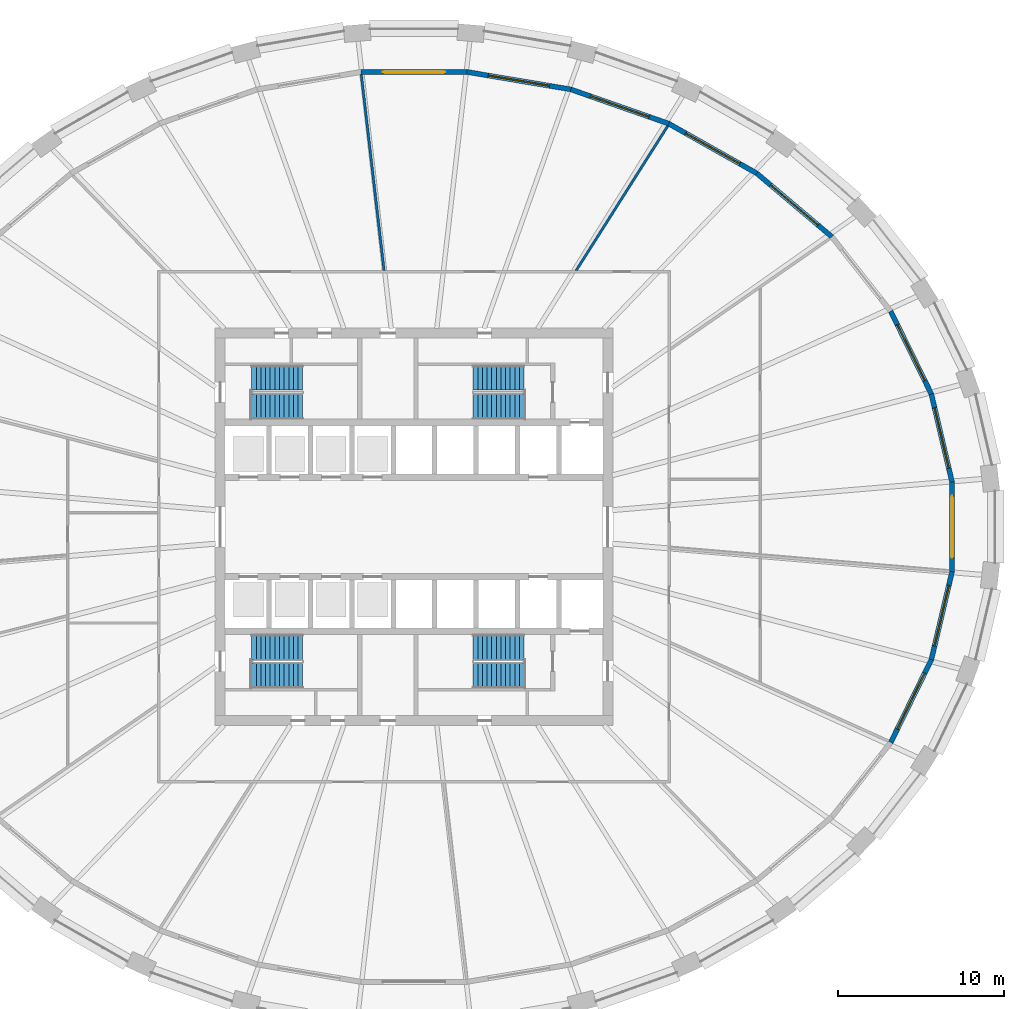
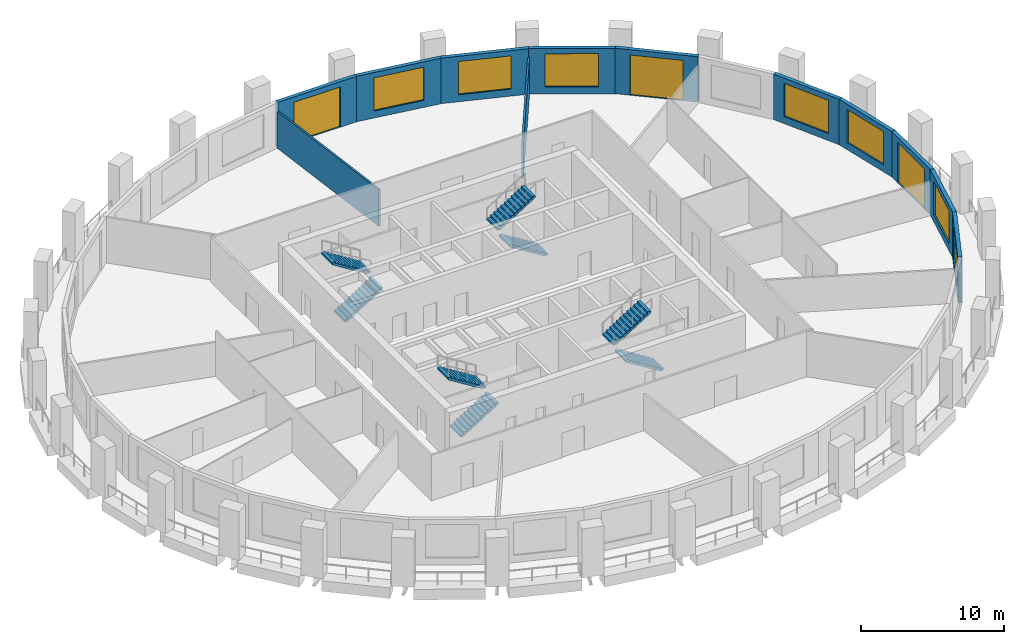
# One storey, part 7 of 10: 12 walls, 8 stair flights, 7 windows, 3 doors, 10 openings, 4 elements without a shape of their own.
"""IFC4 building model written with IfcOpenShell, lengths in metres."""

from ifc_helpers import new_model, si_unit, direction, frame, frame_2d, origin, place, context, subcontext, project, spatial, polyline, rectangle, outline, extrude, material, layer, layer_set, type_object, element, fill, aggregate, save


model = new_model("IFC4")

# Units and contexts
model_context = context("Model", 3, precision=1e-05, world=origin(), true_north=direction((0.0, 1.0)))
body_context = subcontext(model_context, "Body", "Model", "MODEL_VIEW")
ifc_project = project(units=[si_unit("LENGTHUNIT", "METRE"), si_unit("AREAUNIT", "SQUARE_METRE"), si_unit("VOLUMEUNIT", "CUBIC_METRE"), si_unit("PLANEANGLEUNIT", "RADIAN"), si_unit("MASSUNIT", "GRAM", prefix="KILO")], contexts=[model_context])

# Site, building, storey
site_placement = place(None, origin())
site = spatial("IfcSite", under=ifc_project, at=site_placement, CompositionType="ELEMENT")
building_placement = place(site_placement, origin())
building = spatial("IfcBuilding", under=site, at=building_placement, Name="Halqa Exchange Tower", CompositionType="ELEMENT")
storey_placement = place(building_placement, frame((0.0, 0.0, 112.89990234375)))
storey = spatial("IfcBuildingStorey", under=building, at=storey_placement, Name="L25", CompositionType="ELEMENT", Elevation=112.89990234375)

# Walls
ifc_material_1 = material(Name="Fire-rated gypsum board")
ifc_layer_1 = layer(ifc_material_1, 0.14990234375)
ifc_layer_set_1 = layer_set([ifc_layer_1], Name="Fire-rated gypsum board")
wall_type_1 = type_object("IfcWallType", Name="Fire partition EI 60 150", PredefinedType="PARTITIONING", material=ifc_layer_set_1)
wall_1_placement = place(storey_placement, frame((-1.8076171875, 15.466552734375, 0.0), z_axis=(0.0, 0.0, 1.0), x_axis=(-0.115425226741, 0.993316171736, 0.0)))
element("IfcWall", 1, at=wall_1_placement, inside=storey, type_object=wall_type_1, Name="L25-PWL-013", PredefinedType="PARTITIONING", context=body_context, shape_type="SweptSolid", body=[
    extrude(outline(polyline([(0.0, -0.074951171875), (1.98681640625, -0.074951171875), (3.973388671875, -0.074951171875), (5.960205078125, -0.074951171875), (7.947021484375, -0.074951171875), (9.93359375, -0.074951171875), (11.92041015625, -0.074951171875), (11.925048828125, -0.03466796875), (11.925048828125, 0.074951171875), (9.9404296875, 0.074951171875), (7.955810546875, 0.074951171875), (5.97119140625, 0.074951171875), (3.986572265625, 0.074951171875), (2.001953125, 0.074951171875), (0.017333984375, 0.074951171875), (0.0, -0.0732421875), (0.0, -0.074951171875)])), origin(), (0.0, 0.0, 1.0), 3.147216796875),
])
wall_2_placement = place(storey_placement, frame((9.76220703125, 15.43505859375, 0.0), z_axis=(0.0, 0.0, 1.0), x_axis=(0.535189090909, 0.844732287161, 0.0)))
element("IfcWall", 2, at=wall_2_placement, inside=storey, type_object=wall_type_1, Name="L25-PWL-015", PredefinedType="PARTITIONING", context=body_context, shape_type="SweptSolid", body=[
    extrude(outline(polyline([(10.3857421875, -0.074951171875), (10.3857421875, -0.0693359375), (10.382080078125, 0.003662109375), (10.365478515625, 0.074951171875), (8.637939453125, 0.074951171875), (6.910400390625, 0.074951171875), (5.182861328125, 0.074951171875), (3.455078125, 0.074951171875), (1.7275390625, 0.074951171875), (0.0, 0.074951171875), (0.0, 0.07470703125), (0.0947265625, -0.074951171875), (1.809814453125, -0.074951171875), (3.525146484375, -0.074951171875), (5.240234375, -0.074951171875), (6.955322265625, -0.074951171875), (8.670654296875, -0.074951171875), (10.3857421875, -0.074951171875)])), origin(), (0.0, 0.0, 1.0), 3.147216796875),
])

# Wall, opening, window
ifc_material_2 = material(Name="Limestone cladding", Category="masonry")
ifc_layer_2 = layer(ifc_material_2, 0.0400390625)
ifc_material_3 = material(Name="Ventilated cavity")
ifc_layer_3 = layer(ifc_material_3, 0.030029296875, ventilated=True)
ifc_material_4 = material(Name="Mineral wool insulation")
ifc_layer_4 = layer(ifc_material_4, 0.10009765625)
ifc_material_5 = material(Name="Concrete C30/37", Category="concrete")
ifc_layer_5 = layer(ifc_material_5, 0.10009765625)
ifc_material_6 = material(Name="Internal plaster")
ifc_layer_6 = layer(ifc_material_6, 0.030029296875)
ifc_layer_set_2 = layer_set([ifc_layer_2, ifc_layer_3, ifc_layer_4, ifc_layer_5, ifc_layer_6], Name="Stone-faced insulated wall 300")
wall_type_2 = type_object("IfcWallType", Name="Stone-faced insulated wall 300", PredefinedType="STANDARD", material=ifc_layer_set_2)
wall_3_placement = place(storey_placement, frame((32.483154296875, 2.707763671875, 0.0), z_axis=(0.0, 0.0, 1.0), x_axis=(-0.229193964616, 0.973380771632, 0.0)))
wall_3 = element("IfcWall", 3, at=wall_3_placement, inside=storey, type_object=wall_type_2, Name="Glass-line wall 1", PredefinedType="STANDARD", context=body_context, shape_type="SweptSolid", body=[
    extrude(outline(polyline([(-0.017333984375, -0.14990234375), (5.472900390625, -0.14990234375), (5.439208984375, 0.14990234375), (0.017333984375, 0.14990234375), (-0.017333984375, -0.14990234375)])), origin(), (0.0, 0.0, 1.0), 3.900146484375),
])
opening_1_placement = place(wall_3_placement, frame((0.85302734375, 0.0, 0.60009765625)))
opening_1 = element("IfcOpeningElement", 4, at=opening_1_placement, cuts=wall_3, Name="Opening W-F2-01", PredefinedType="OPENING", context=body_context, shape_type="SweptSolid", body=[
    extrude(rectangle(XDim=3.75, YDim=2.85009765625, at=frame_2d((1.875, 1.425048828125))), frame((0.0, 0.162109375, 0.0), z_axis=(0.0, -1.0, 0.0), x_axis=(1.0, 0.0, 0.0)), (0.0, 0.0, 1.0), 0.323974609375),
])
ifc_material_7 = material(Name="Clear low-emissivity glass in aluminium frame", Category="aluminium")
window_type = type_object("IfcWindowType", Name="Fixed clear glazed window 3750 x 2850", PartitioningType="TRIPLE_PANEL_VERTICAL", PredefinedType="WINDOW", material=ifc_material_7)
window_1_placement = place(opening_1_placement, origin())
window_1 = element("IfcWindow", 5, at=window_1_placement, inside=storey, type_object=window_type, Name="Window 2", OverallHeight=2.85009765625, OverallWidth=3.75, PartitioningType="TRIPLE_PANEL_VERTICAL", PredefinedType="WINDOW", context=body_context, shape_type="SweptSolid", body=[
    extrude(rectangle(XDim=3.75, YDim=2.85009765625, at=frame_2d((1.875, 1.425048828125))), frame((0.0, 0.030029296875, 0.0), z_axis=(0.0, -1.0, 0.0), x_axis=(1.0, 0.0, 0.0)), (0.0, 0.0, 1.0), 0.06005859375),
])
fill(opening_1, window_1)

wall_4_placement = place(storey_placement, frame((31.232666015625, 8.0185546875, 0.0), z_axis=(0.0, 0.0, 1.0), x_axis=(-0.440238988749, 0.897880633929, 0.0)))
wall_4 = element("IfcWall", 6, at=wall_4_placement, inside=storey, type_object=wall_type_2, Name="Glass-line wall 2", PredefinedType="STANDARD", context=body_context, shape_type="SweptSolid", body=[
    extrude(outline(polyline([(-0.016845703125, -0.14990234375), (5.585693359375, -0.14990234375), (5.553466796875, 0.14990234375), (0.016845703125, 0.14990234375), (-0.016845703125, -0.14990234375)])), origin(), (0.0, 0.0, 1.0), 3.900146484375),
])
opening_2_placement = place(wall_4_placement, frame((0.90966796875, 0.0, 0.60009765625)))
opening_2 = element("IfcOpeningElement", 7, at=opening_2_placement, cuts=wall_4, Name="Opening W-F2-02", PredefinedType="OPENING", context=body_context, shape_type="SweptSolid", body=[
    extrude(rectangle(XDim=3.75, YDim=2.85009765625, at=frame_2d((1.875, 1.425048828125))), frame((0.0, 0.162109375, 0.0), z_axis=(0.0, -1.0, 0.0), x_axis=(1.0, 0.0, 0.0)), (0.0, 0.0, 1.0), 0.323974609375),
])
window_2_placement = place(opening_2_placement, origin())
window_2 = element("IfcWindow", 8, at=window_2_placement, inside=storey, type_object=window_type, Name="Window 2", OverallHeight=2.85009765625, OverallWidth=3.75, PartitioningType="TRIPLE_PANEL_VERTICAL", PredefinedType="WINDOW", context=body_context, shape_type="SweptSolid", body=[
    extrude(rectangle(XDim=3.75, YDim=2.85009765625, at=frame_2d((1.875, 1.425048828125))), frame((0.0, 0.030029296875, 0.0), z_axis=(0.0, -1.0, 0.0), x_axis=(1.0, 0.0, 0.0)), (0.0, 0.0, 1.0), 0.06005859375),
])
fill(opening_2, window_2)

# Wall, opening, door
wall_5_placement = place(storey_placement, frame((25.222900390625, 17.517822265625, 0.0), z_axis=(0.0, 0.0, 1.0), x_axis=(-0.763894031266, 0.645341699409, 0.0)))
wall_5 = element("IfcWall", 9, at=wall_5_placement, inside=storey, type_object=wall_type_2, Name="Glass-line wall 4", PredefinedType="STANDARD", context=body_context, shape_type="SweptSolid", body=[
    extrude(outline(polyline([(-0.01513671875, -0.14990234375), (5.93896484375, -0.14990234375), (5.91064453125, 0.14990234375), (0.01513671875, 0.14990234375), (-0.01513671875, -0.14990234375)])), origin(), (0.0, 0.0, 1.0), 3.900146484375),
])
opening_3_placement = place(wall_5_placement, frame((1.08740234375, 0.0, 0.0)))
opening_3 = element("IfcOpeningElement", 10, at=opening_3_placement, cuts=wall_5, Name="Opening LG-F2-01", PredefinedType="OPENING", context=body_context, shape_type="SweptSolid", body=[
    extrude(rectangle(XDim=3.75, YDim=3.449951171875, at=frame_2d((1.875, 1.72509765625))), frame((0.0, 0.162109375, 0.0), z_axis=(0.0, -1.0, 0.0), x_axis=(1.0, 0.0, 0.0)), (0.0, 0.0, 1.0), 0.323974609375),
])
door_type = type_object("IfcDoorType", Name="Glazed sliding loggia door 3750 x 3450", OperationType="DOUBLE_DOOR_SLIDING", PredefinedType="DOOR", material=ifc_material_7)
door_1_placement = place(opening_3_placement, origin())
door_1 = element("IfcDoor", 11, at=door_1_placement, inside=storey, type_object=door_type, Name="Loggia door 1", OperationType="DOUBLE_DOOR_SLIDING", OverallHeight=3.449951171875, OverallWidth=3.75, PredefinedType="DOOR", context=body_context, shape_type="SweptSolid", body=[
    extrude(rectangle(XDim=3.75, YDim=3.449951171875, at=frame_2d((1.875, 1.72509765625))), frame((0.0, 0.02490234375, 0.0), z_axis=(0.0, -1.0, 0.0), x_axis=(1.0, 0.0, 0.0)), (0.0, 0.0, 1.0), 0.050048828125),
])
fill(opening_3, door_1)

# Wall, opening, window
wall_6_placement = place(storey_placement, frame((20.697021484375, 21.34130859375, 0.0), z_axis=(0.0, 0.0, 1.0), x_axis=(-0.870828448417, 0.491587035455, 0.0)))
wall_6 = element("IfcWall", 12, at=wall_6_placement, inside=storey, type_object=wall_type_2, Name="Glass-line wall 5", PredefinedType="STANDARD", context=body_context, shape_type="SweptSolid", body=[
    extrude(outline(polyline([(-0.01416015625, -0.14990234375), (6.1220703125, -0.14990234375), (6.09521484375, 0.14990234375), (0.01416015625, 0.14990234375), (-0.01416015625, -0.14990234375)])), origin(), (0.0, 0.0, 1.0), 3.900146484375),
])
opening_4_placement = place(wall_6_placement, frame((1.17919921875, 0.0, 0.60009765625)))
opening_4 = element("IfcOpeningElement", 13, at=opening_4_placement, cuts=wall_6, Name="Opening W-F2-05", PredefinedType="OPENING", context=body_context, shape_type="SweptSolid", body=[
    extrude(rectangle(XDim=3.75, YDim=2.85009765625, at=frame_2d((1.875, 1.425048828125))), frame((0.0, 0.162109375, 0.0), z_axis=(0.0, -1.0, 0.0), x_axis=(1.0, 0.0, 0.0)), (0.0, 0.0, 1.0), 0.323974609375),
])
window_3_placement = place(opening_4_placement, origin())
window_3 = element("IfcWindow", 14, at=window_3_placement, inside=storey, type_object=window_type, Name="Window 2", OverallHeight=2.85009765625, OverallWidth=3.75, PartitioningType="TRIPLE_PANEL_VERTICAL", PredefinedType="WINDOW", context=body_context, shape_type="SweptSolid", body=[
    extrude(rectangle(XDim=3.75, YDim=2.85009765625, at=frame_2d((1.875, 1.425048828125))), frame((0.0, 0.030029296875, 0.0), z_axis=(0.0, -1.0, 0.0), x_axis=(1.0, 0.0, 0.0)), (0.0, 0.0, 1.0), 0.06005859375),
])
fill(opening_4, window_3)

wall_7_placement = place(storey_placement, frame((15.37744140625, 24.34423828125, 0.0), z_axis=(0.0, 0.0, 1.0), x_axis=(-0.943866868202, 0.330326104193, 0.0)))
wall_7 = element("IfcWall", 15, at=wall_7_placement, inside=storey, type_object=wall_type_2, Name="Glass-line wall 6", PredefinedType="STANDARD", context=body_context, shape_type="SweptSolid", body=[
    extrude(outline(polyline([(-0.013427734375, -0.14990234375), (6.272705078125, -0.14990234375), (6.247314453125, 0.14990234375), (0.013427734375, 0.14990234375), (-0.013427734375, -0.14990234375)])), origin(), (0.0, 0.0, 1.0), 3.900146484375),
])
opening_5_placement = place(wall_7_placement, frame((1.255126953125, 0.0, 0.60009765625)))
opening_5 = element("IfcOpeningElement", 16, at=opening_5_placement, cuts=wall_7, Name="Opening W-F2-06", PredefinedType="OPENING", context=body_context, shape_type="SweptSolid", body=[
    extrude(rectangle(XDim=3.75, YDim=2.85009765625, at=frame_2d((1.875, 1.425048828125))), frame((0.0, 0.162109375, 0.0), z_axis=(0.0, -1.0, 0.0), x_axis=(1.0, 0.0, 0.0)), (0.0, 0.0, 1.0), 0.323974609375),
])
window_4_placement = place(opening_5_placement, origin())
window_4 = element("IfcWindow", 17, at=window_4_placement, inside=storey, type_object=window_type, Name="Window 2", OverallHeight=2.85009765625, OverallWidth=3.75, PartitioningType="TRIPLE_PANEL_VERTICAL", PredefinedType="WINDOW", context=body_context, shape_type="SweptSolid", body=[
    extrude(rectangle(XDim=3.75, YDim=2.85009765625, at=frame_2d((1.875, 1.425048828125))), frame((0.0, 0.030029296875, 0.0), z_axis=(0.0, -1.0, 0.0), x_axis=(1.0, 0.0, 0.0)), (0.0, 0.0, 1.0), 0.06005859375),
])
fill(opening_5, window_4)

wall_8_placement = place(storey_placement, frame((9.46875, 26.412109375, 0.0), z_axis=(0.0, 0.0, 1.0), x_axis=(-0.986178310488, 0.165687476666, 0.0)))
wall_8 = element("IfcWall", 18, at=wall_8_placement, inside=storey, type_object=wall_type_2, Name="Glass-line wall 7", PredefinedType="STANDARD", context=body_context, shape_type="SweptSolid", body=[
    extrude(outline(polyline([(-0.0126953125, -0.14990234375), (6.3720703125, -0.14990234375), (6.34716796875, 0.14990234375), (0.0126953125, 0.14990234375), (-0.0126953125, -0.14990234375)])), origin(), (0.0, 0.0, 1.0), 3.900146484375),
])
opening_6_placement = place(wall_8_placement, frame((1.3046875, 0.0, 0.60009765625)))
opening_6 = element("IfcOpeningElement", 19, at=opening_6_placement, cuts=wall_8, Name="Opening W-F2-07", PredefinedType="OPENING", context=body_context, shape_type="SweptSolid", body=[
    extrude(rectangle(XDim=3.75, YDim=2.85009765625, at=frame_2d((1.875, 1.425048828125))), frame((0.0, 0.162109375, 0.0), z_axis=(0.0, -1.0, 0.0), x_axis=(1.0, 0.0, 0.0)), (0.0, 0.0, 1.0), 0.323974609375),
])
window_5_placement = place(opening_6_placement, origin())
window_5 = element("IfcWindow", 20, at=window_5_placement, inside=storey, type_object=window_type, Name="Window 2", OverallHeight=2.85009765625, OverallWidth=3.75, PartitioningType="TRIPLE_PANEL_VERTICAL", PredefinedType="WINDOW", context=body_context, shape_type="SweptSolid", body=[
    extrude(rectangle(XDim=3.75, YDim=2.85009765625, at=frame_2d((1.875, 1.425048828125))), frame((0.0, 0.030029296875, 0.0), z_axis=(0.0, -1.0, 0.0), x_axis=(1.0, 0.0, 0.0)), (0.0, 0.0, 1.0), 0.06005859375),
])
fill(opening_6, window_5)

# Wall, opening, door
wall_9_placement = place(storey_placement, frame((3.197021484375, 27.4658203125, 0.0), z_axis=(0.0, 0.0, 1.0), x_axis=(-1.0, 0.0, 0.0)))
wall_9 = element("IfcWall", 21, at=wall_9_placement, inside=storey, type_object=wall_type_2, Name="Glass-line wall 8", PredefinedType="STANDARD", context=body_context, shape_type="SweptSolid", body=[
    extrude(outline(polyline([(-0.012451171875, -0.14990234375), (6.406494140625, -0.14990234375), (6.381591796875, 0.14990234375), (0.012451171875, 0.14990234375), (-0.012451171875, -0.14990234375)])), origin(), (0.0, 0.0, 1.0), 3.900146484375),
])
opening_7_placement = place(wall_9_placement, frame((1.322021484375, 0.0, 0.0)))
opening_7 = element("IfcOpeningElement", 22, at=opening_7_placement, cuts=wall_9, Name="Opening LG-F2-02", PredefinedType="OPENING", context=body_context, shape_type="SweptSolid", body=[
    extrude(rectangle(XDim=3.75, YDim=3.449951171875, at=frame_2d((1.875, 1.72509765625))), frame((0.0, 0.162109375, 0.0), z_axis=(0.0, -1.0, 0.0), x_axis=(1.0, 0.0, 0.0)), (0.0, 0.0, 1.0), 0.323974609375),
])
door_2_placement = place(opening_7_placement, origin())
door_2 = element("IfcDoor", 23, at=door_2_placement, inside=storey, type_object=door_type, Name="Loggia door 2", OperationType="DOUBLE_DOOR_SLIDING", OverallHeight=3.449951171875, OverallWidth=3.75, PredefinedType="DOOR", context=body_context, shape_type="SweptSolid", body=[
    extrude(rectangle(XDim=3.75, YDim=3.449951171875, at=frame_2d((1.875, 1.72509765625))), frame((0.0, 0.02490234375, 0.0), z_axis=(0.0, -1.0, 0.0), x_axis=(1.0, 0.0, 0.0)), (0.0, 0.0, 1.0), 0.050048828125),
])
fill(opening_7, door_2)

# Wall, opening, window
wall_10_placement = place(storey_placement, frame((28.78076171875, -13.019287109375, 0.0), z_axis=(0.0, 0.0, 1.0), x_axis=(0.440238988749, 0.897880633929, 0.0)))
wall_10 = element("IfcWall", 24, at=wall_10_placement, inside=storey, type_object=wall_type_2, Name="Glass-line wall 30", PredefinedType="STANDARD", context=body_context, shape_type="SweptSolid", body=[
    extrude(outline(polyline([(-0.01611328125, -0.14990234375), (5.58642578125, -0.14990234375), (5.552734375, 0.14990234375), (0.01611328125, 0.14990234375), (-0.01611328125, -0.14990234375)])), origin(), (0.0, 0.0, 1.0), 3.900146484375),
])
opening_8_placement = place(wall_10_placement, frame((0.90966796875, 0.0, 0.60009765625)))
opening_8 = element("IfcOpeningElement", 25, at=opening_8_placement, cuts=wall_10, Name="Opening W-F2-30", PredefinedType="OPENING", context=body_context, shape_type="SweptSolid", body=[
    extrude(rectangle(XDim=3.75, YDim=2.85009765625, at=frame_2d((1.875, 1.425048828125))), frame((0.0, 0.162109375, 0.0), z_axis=(0.0, -1.0, 0.0), x_axis=(1.0, 0.0, 0.0)), (0.0, 0.0, 1.0), 0.323974609375),
])
window_6_placement = place(opening_8_placement, origin())
window_6 = element("IfcWindow", 26, at=window_6_placement, inside=storey, type_object=window_type, Name="Window 2", OverallHeight=2.85009765625, OverallWidth=3.75, PartitioningType="TRIPLE_PANEL_VERTICAL", PredefinedType="WINDOW", context=body_context, shape_type="SweptSolid", body=[
    extrude(rectangle(XDim=3.75, YDim=2.85009765625, at=frame_2d((1.875, 1.425048828125))), frame((0.0, 0.030029296875, 0.0), z_axis=(0.0, -1.0, 0.0), x_axis=(1.0, 0.0, 0.0)), (0.0, 0.0, 1.0), 0.06005859375),
])
fill(opening_8, window_6)

wall_11_placement = place(storey_placement, frame((31.232666015625, -8.0185546875, 0.0), z_axis=(0.0, 0.0, 1.0), x_axis=(0.229193964616, 0.973380771632, 0.0)))
wall_11 = element("IfcWall", 27, at=wall_11_placement, inside=storey, type_object=wall_type_2, Name="Glass-line wall 31", PredefinedType="STANDARD", context=body_context, shape_type="SweptSolid", body=[
    extrude(outline(polyline([(-0.016845703125, -0.14990234375), (5.473388671875, -0.14990234375), (5.438720703125, 0.14990234375), (0.016845703125, 0.14990234375), (-0.016845703125, -0.14990234375)])), origin(), (0.0, 0.0, 1.0), 3.900146484375),
])
opening_9_placement = place(wall_11_placement, frame((0.85302734375, 0.0, 0.60009765625)))
opening_9 = element("IfcOpeningElement", 28, at=opening_9_placement, cuts=wall_11, Name="Opening W-F2-31", PredefinedType="OPENING", context=body_context, shape_type="SweptSolid", body=[
    extrude(rectangle(XDim=3.75, YDim=2.85009765625, at=frame_2d((1.875, 1.425048828125))), frame((0.0, 0.162109375, 0.0), z_axis=(0.0, -1.0, 0.0), x_axis=(1.0, 0.0, 0.0)), (0.0, 0.0, 1.0), 0.323974609375),
])
window_7_placement = place(opening_9_placement, origin())
window_7 = element("IfcWindow", 29, at=window_7_placement, inside=storey, type_object=window_type, Name="Window 2", OverallHeight=2.85009765625, OverallWidth=3.75, PartitioningType="TRIPLE_PANEL_VERTICAL", PredefinedType="WINDOW", context=body_context, shape_type="SweptSolid", body=[
    extrude(rectangle(XDim=3.75, YDim=2.85009765625, at=frame_2d((1.875, 1.425048828125))), frame((0.0, 0.030029296875, 0.0), z_axis=(0.0, -1.0, 0.0), x_axis=(1.0, 0.0, 0.0)), (0.0, 0.0, 1.0), 0.06005859375),
])
fill(opening_9, window_7)

# Wall, opening, door
wall_12_placement = place(storey_placement, frame((32.483154296875, -2.707763671875, 0.0), z_axis=(0.0, 0.0, 1.0), x_axis=(0.0, 1.0, 0.0)))
wall_12 = element("IfcWall", 30, at=wall_12_placement, inside=storey, type_object=wall_type_2, Name="Glass-line wall 32", PredefinedType="STANDARD", context=body_context, shape_type="SweptSolid", body=[
    extrude(outline(polyline([(-0.017333984375, -0.14990234375), (5.432861328125, -0.14990234375), (5.398193359375, 0.14990234375), (0.017333984375, 0.14990234375), (-0.017333984375, -0.14990234375)])), origin(), (0.0, 0.0, 1.0), 3.900146484375),
])
opening_10_placement = place(wall_12_placement, frame((0.832763671875, 0.0, 0.0)))
opening_10 = element("IfcOpeningElement", 31, at=opening_10_placement, cuts=wall_12, Name="Opening LG-F2-08", PredefinedType="OPENING", context=body_context, shape_type="SweptSolid", body=[
    extrude(rectangle(XDim=3.75, YDim=3.449951171875, at=frame_2d((1.875, 1.72509765625))), frame((0.0, 0.162109375, 0.0), z_axis=(0.0, -1.0, 0.0), x_axis=(1.0, 0.0, 0.0)), (0.0, 0.0, 1.0), 0.323974609375),
])
door_3_placement = place(opening_10_placement, origin())
door_3 = element("IfcDoor", 32, at=door_3_placement, inside=storey, type_object=door_type, Name="Loggia door 8", OperationType="DOUBLE_DOOR_SLIDING", OverallHeight=3.449951171875, OverallWidth=3.75, PredefinedType="DOOR", context=body_context, shape_type="SweptSolid", body=[
    extrude(rectangle(XDim=3.75, YDim=3.449951171875, at=frame_2d((1.875, 1.72509765625))), frame((0.0, 0.02490234375, 0.0), z_axis=(0.0, -1.0, 0.0), x_axis=(1.0, 0.0, 0.0)), (0.0, 0.0, 1.0), 0.050048828125),
])
fill(opening_10, door_3)

# Stair, stair flights
stair_type = type_object("IfcStairType", Name="Exit stair 1500 wide", PredefinedType="HALF_TURN_STAIR", material=ifc_material_5)
stair_1_placement = place(storey_placement, origin())
stair_1 = element("IfcStair", 33, at=stair_1_placement, inside=storey, type_object=stair_type, Name="Exit stair ST1", PredefinedType="HALF_TURN_STAIR")
stair_flight_type = type_object("IfcStairFlightType", Name="Stair flight 1500 wide", PredefinedType="STRAIGHT", material=ifc_material_5)
stair_flight_1_placement = place(storey_placement, frame((-9.800048828125, 7.25, 0.0), z_axis=(0.0, 0.0, 1.0), x_axis=(1.0, 0.0, 0.0)))
stair_flight_1 = element("IfcStairFlight", 34, at=stair_flight_1_placement, type_object=stair_flight_type, Name="ST1 flight 1", NumberOfRisers=12, NumberOfTreads=11, PredefinedType="STRAIGHT", RiserHeight=0.175, TreadLength=0.28, context=body_context, shape_type="SweptSolid", body=[
    extrude(outline(polyline([(0.0, 0.0), (0.0, 0.175048828125), (0.280029296875, 0.175048828125), (0.280029296875, 0.35009765625), (0.56005859375, 0.35009765625), (0.56005859375, 0.52490234375), (0.840087890625, 0.52490234375), (0.840087890625, 0.699951171875), (1.1201171875, 0.699951171875), (1.1201171875, 0.875), (1.39990234375, 0.875), (1.39990234375, 1.050048828125), (1.679931640625, 1.050048828125), (1.679931640625, 1.22509765625), (1.9599609375, 1.22509765625), (1.9599609375, 1.39990234375), (2.239990234375, 1.39990234375), (2.239990234375, 1.574951171875), (2.52001953125, 1.574951171875), (2.52001953125, 1.75), (2.800048828125, 1.75), (2.800048828125, 1.925048828125), (3.080078125, 1.925048828125), (3.080078125, 2.10009765625), (3.080078125, 1.748291015625), (0.28271484375, 0.0), (0.0, 0.0)])), frame((0.0, 0.75, 0.0), z_axis=(0.0, -1.0, 0.0), x_axis=(1.0, 0.0, 0.0)), (0.0, 0.0, 1.0), 1.5),
])
stair_flight_2_placement = place(storey_placement, frame((-6.719970703125, 9.0, 2.10009765625), z_axis=(0.0, 0.0, 1.0), x_axis=(-1.0, 0.0, 0.0)))
stair_flight_2 = element("IfcStairFlight", 35, at=stair_flight_2_placement, type_object=stair_flight_type, Name="ST1 flight 2", NumberOfRisers=12, NumberOfTreads=11, PredefinedType="STRAIGHT", RiserHeight=0.175, TreadLength=0.28, context=body_context, shape_type="SweptSolid", body=[
    extrude(outline(polyline([(0.0, 0.0), (0.0, 0.175048828125), (0.280029296875, 0.175048828125), (0.280029296875, 0.35009765625), (0.56005859375, 0.35009765625), (0.56005859375, 0.52490234375), (0.840087890625, 0.52490234375), (0.840087890625, 0.699951171875), (1.1201171875, 0.699951171875), (1.1201171875, 0.875), (1.39990234375, 0.875), (1.39990234375, 1.050048828125), (1.679931640625, 1.050048828125), (1.679931640625, 1.22509765625), (1.9599609375, 1.22509765625), (1.9599609375, 1.39990234375), (2.239990234375, 1.39990234375), (2.239990234375, 1.574951171875), (2.52001953125, 1.574951171875), (2.52001953125, 1.75), (2.800048828125, 1.75), (2.800048828125, 1.925048828125), (3.080078125, 1.925048828125), (3.080078125, 2.10009765625), (3.080078125, 1.748291015625), (0.28271484375, 0.0), (0.0, 0.0)])), frame((0.0, 0.75, 0.0), z_axis=(0.0, -1.0, 0.0), x_axis=(1.0, 0.0, 0.0)), (0.0, 0.0, 1.0), 1.5),
])
aggregate(stair_1, [stair_flight_1, stair_flight_2])

stair_2_placement = place(storey_placement, origin())
stair_2 = element("IfcStair", 36, at=stair_2_placement, inside=storey, type_object=stair_type, Name="Exit stair ST2", PredefinedType="HALF_TURN_STAIR")
stair_flight_3_placement = place(storey_placement, frame((6.64990234375, 7.25, 0.0), z_axis=(0.0, 0.0, 1.0), x_axis=(-1.0, 0.0, 0.0)))
stair_flight_3 = element("IfcStairFlight", 37, at=stair_flight_3_placement, type_object=stair_flight_type, Name="ST2 flight 1", NumberOfRisers=12, NumberOfTreads=11, PredefinedType="STRAIGHT", RiserHeight=0.175, TreadLength=0.28, context=body_context, shape_type="SweptSolid", body=[
    extrude(outline(polyline([(0.0, 0.0), (0.0, 0.175048828125), (0.280029296875, 0.175048828125), (0.280029296875, 0.35009765625), (0.56005859375, 0.35009765625), (0.56005859375, 0.52490234375), (0.840087890625, 0.52490234375), (0.840087890625, 0.699951171875), (1.1201171875, 0.699951171875), (1.1201171875, 0.875), (1.39990234375, 0.875), (1.39990234375, 1.050048828125), (1.679931640625, 1.050048828125), (1.679931640625, 1.22509765625), (1.9599609375, 1.22509765625), (1.9599609375, 1.39990234375), (2.239990234375, 1.39990234375), (2.239990234375, 1.574951171875), (2.52001953125, 1.574951171875), (2.52001953125, 1.75), (2.800048828125, 1.75), (2.800048828125, 1.925048828125), (3.080078125, 1.925048828125), (3.080078125, 2.10009765625), (3.080078125, 1.748291015625), (0.28271484375, 0.0), (0.0, 0.0)])), frame((0.0, 0.75, 0.0), z_axis=(0.0, -1.0, 0.0), x_axis=(1.0, 0.0, 0.0)), (0.0, 0.0, 1.0), 1.5),
])
stair_flight_4_placement = place(storey_placement, frame((3.570068359375, 9.0, 2.10009765625), z_axis=(0.0, 0.0, 1.0), x_axis=(1.0, 0.0, 0.0)))
stair_flight_4 = element("IfcStairFlight", 38, at=stair_flight_4_placement, type_object=stair_flight_type, Name="ST2 flight 2", NumberOfRisers=12, NumberOfTreads=11, PredefinedType="STRAIGHT", RiserHeight=0.175, TreadLength=0.28, context=body_context, shape_type="SweptSolid", body=[
    extrude(outline(polyline([(0.0, 0.0), (0.0, 0.175048828125), (0.280029296875, 0.175048828125), (0.280029296875, 0.35009765625), (0.56005859375, 0.35009765625), (0.56005859375, 0.52490234375), (0.840087890625, 0.52490234375), (0.840087890625, 0.699951171875), (1.1201171875, 0.699951171875), (1.1201171875, 0.875), (1.39990234375, 0.875), (1.39990234375, 1.050048828125), (1.679931640625, 1.050048828125), (1.679931640625, 1.22509765625), (1.9599609375, 1.22509765625), (1.9599609375, 1.39990234375), (2.239990234375, 1.39990234375), (2.239990234375, 1.574951171875), (2.52001953125, 1.574951171875), (2.52001953125, 1.75), (2.800048828125, 1.75), (2.800048828125, 1.925048828125), (3.080078125, 1.925048828125), (3.080078125, 2.10009765625), (3.080078125, 1.748291015625), (0.28271484375, 0.0), (0.0, 0.0)])), frame((0.0, 0.75, 0.0), z_axis=(0.0, -1.0, 0.0), x_axis=(1.0, 0.0, 0.0)), (0.0, 0.0, 1.0), 1.5),
])
aggregate(stair_2, [stair_flight_3, stair_flight_4])

stair_3_placement = place(storey_placement, origin())
stair_3 = element("IfcStair", 39, at=stair_3_placement, inside=storey, type_object=stair_type, Name="Exit stair ST3", PredefinedType="HALF_TURN_STAIR")
stair_flight_5_placement = place(storey_placement, frame((-9.800048828125, -9.0, 0.0), z_axis=(0.0, 0.0, 1.0), x_axis=(1.0, 0.0, 0.0)))
stair_flight_5 = element("IfcStairFlight", 40, at=stair_flight_5_placement, type_object=stair_flight_type, Name="ST3 flight 1", NumberOfRisers=12, NumberOfTreads=11, PredefinedType="STRAIGHT", RiserHeight=0.175, TreadLength=0.28, context=body_context, shape_type="SweptSolid", body=[
    extrude(outline(polyline([(0.0, 0.0), (0.0, 0.175048828125), (0.280029296875, 0.175048828125), (0.280029296875, 0.35009765625), (0.56005859375, 0.35009765625), (0.56005859375, 0.52490234375), (0.840087890625, 0.52490234375), (0.840087890625, 0.699951171875), (1.1201171875, 0.699951171875), (1.1201171875, 0.875), (1.39990234375, 0.875), (1.39990234375, 1.050048828125), (1.679931640625, 1.050048828125), (1.679931640625, 1.22509765625), (1.9599609375, 1.22509765625), (1.9599609375, 1.39990234375), (2.239990234375, 1.39990234375), (2.239990234375, 1.574951171875), (2.52001953125, 1.574951171875), (2.52001953125, 1.75), (2.800048828125, 1.75), (2.800048828125, 1.925048828125), (3.080078125, 1.925048828125), (3.080078125, 2.10009765625), (3.080078125, 1.748291015625), (0.28271484375, 0.0), (0.0, 0.0)])), frame((0.0, 0.75, 0.0), z_axis=(0.0, -1.0, 0.0), x_axis=(1.0, 0.0, 0.0)), (0.0, 0.0, 1.0), 1.5),
])
stair_flight_6_placement = place(storey_placement, frame((-6.719970703125, -7.25, 2.10009765625), z_axis=(0.0, 0.0, 1.0), x_axis=(-1.0, 0.0, 0.0)))
stair_flight_6 = element("IfcStairFlight", 41, at=stair_flight_6_placement, type_object=stair_flight_type, Name="ST3 flight 2", NumberOfRisers=12, NumberOfTreads=11, PredefinedType="STRAIGHT", RiserHeight=0.175, TreadLength=0.28, context=body_context, shape_type="SweptSolid", body=[
    extrude(outline(polyline([(0.0, 0.0), (0.0, 0.175048828125), (0.280029296875, 0.175048828125), (0.280029296875, 0.35009765625), (0.56005859375, 0.35009765625), (0.56005859375, 0.52490234375), (0.840087890625, 0.52490234375), (0.840087890625, 0.699951171875), (1.1201171875, 0.699951171875), (1.1201171875, 0.875), (1.39990234375, 0.875), (1.39990234375, 1.050048828125), (1.679931640625, 1.050048828125), (1.679931640625, 1.22509765625), (1.9599609375, 1.22509765625), (1.9599609375, 1.39990234375), (2.239990234375, 1.39990234375), (2.239990234375, 1.574951171875), (2.52001953125, 1.574951171875), (2.52001953125, 1.75), (2.800048828125, 1.75), (2.800048828125, 1.925048828125), (3.080078125, 1.925048828125), (3.080078125, 2.10009765625), (3.080078125, 1.748291015625), (0.28271484375, 0.0), (0.0, 0.0)])), frame((0.0, 0.75, 0.0), z_axis=(0.0, -1.0, 0.0), x_axis=(1.0, 0.0, 0.0)), (0.0, 0.0, 1.0), 1.5),
])
aggregate(stair_3, [stair_flight_5, stair_flight_6])

stair_4_placement = place(storey_placement, origin())
stair_4 = element("IfcStair", 42, at=stair_4_placement, inside=storey, type_object=stair_type, Name="Exit stair ST4", PredefinedType="HALF_TURN_STAIR")
stair_flight_7_placement = place(storey_placement, frame((6.64990234375, -9.0, 0.0), z_axis=(0.0, 0.0, 1.0), x_axis=(-1.0, 0.0, 0.0)))
stair_flight_7 = element("IfcStairFlight", 43, at=stair_flight_7_placement, type_object=stair_flight_type, Name="ST4 flight 1", NumberOfRisers=12, NumberOfTreads=11, PredefinedType="STRAIGHT", RiserHeight=0.175, TreadLength=0.28, context=body_context, shape_type="SweptSolid", body=[
    extrude(outline(polyline([(0.0, 0.0), (0.0, 0.175048828125), (0.280029296875, 0.175048828125), (0.280029296875, 0.35009765625), (0.56005859375, 0.35009765625), (0.56005859375, 0.52490234375), (0.840087890625, 0.52490234375), (0.840087890625, 0.699951171875), (1.1201171875, 0.699951171875), (1.1201171875, 0.875), (1.39990234375, 0.875), (1.39990234375, 1.050048828125), (1.679931640625, 1.050048828125), (1.679931640625, 1.22509765625), (1.9599609375, 1.22509765625), (1.9599609375, 1.39990234375), (2.239990234375, 1.39990234375), (2.239990234375, 1.574951171875), (2.52001953125, 1.574951171875), (2.52001953125, 1.75), (2.800048828125, 1.75), (2.800048828125, 1.925048828125), (3.080078125, 1.925048828125), (3.080078125, 2.10009765625), (3.080078125, 1.748291015625), (0.28271484375, 0.0), (0.0, 0.0)])), frame((0.0, 0.75, 0.0), z_axis=(0.0, -1.0, 0.0), x_axis=(1.0, 0.0, 0.0)), (0.0, 0.0, 1.0), 1.5),
])
stair_flight_8_placement = place(storey_placement, frame((3.570068359375, -7.25, 2.10009765625), z_axis=(0.0, 0.0, 1.0), x_axis=(1.0, 0.0, 0.0)))
stair_flight_8 = element("IfcStairFlight", 44, at=stair_flight_8_placement, type_object=stair_flight_type, Name="ST4 flight 2", NumberOfRisers=12, NumberOfTreads=11, PredefinedType="STRAIGHT", RiserHeight=0.175, TreadLength=0.28, context=body_context, shape_type="SweptSolid", body=[
    extrude(outline(polyline([(0.0, 0.0), (0.0, 0.175048828125), (0.280029296875, 0.175048828125), (0.280029296875, 0.35009765625), (0.56005859375, 0.35009765625), (0.56005859375, 0.52490234375), (0.840087890625, 0.52490234375), (0.840087890625, 0.699951171875), (1.1201171875, 0.699951171875), (1.1201171875, 0.875), (1.39990234375, 0.875), (1.39990234375, 1.050048828125), (1.679931640625, 1.050048828125), (1.679931640625, 1.22509765625), (1.9599609375, 1.22509765625), (1.9599609375, 1.39990234375), (2.239990234375, 1.39990234375), (2.239990234375, 1.574951171875), (2.52001953125, 1.574951171875), (2.52001953125, 1.75), (2.800048828125, 1.75), (2.800048828125, 1.925048828125), (3.080078125, 1.925048828125), (3.080078125, 2.10009765625), (3.080078125, 1.748291015625), (0.28271484375, 0.0), (0.0, 0.0)])), frame((0.0, 0.75, 0.0), z_axis=(0.0, -1.0, 0.0), x_axis=(1.0, 0.0, 0.0)), (0.0, 0.0, 1.0), 1.5),
])
aggregate(stair_4, [stair_flight_7, stair_flight_8])

save(model, "model.ifc")
